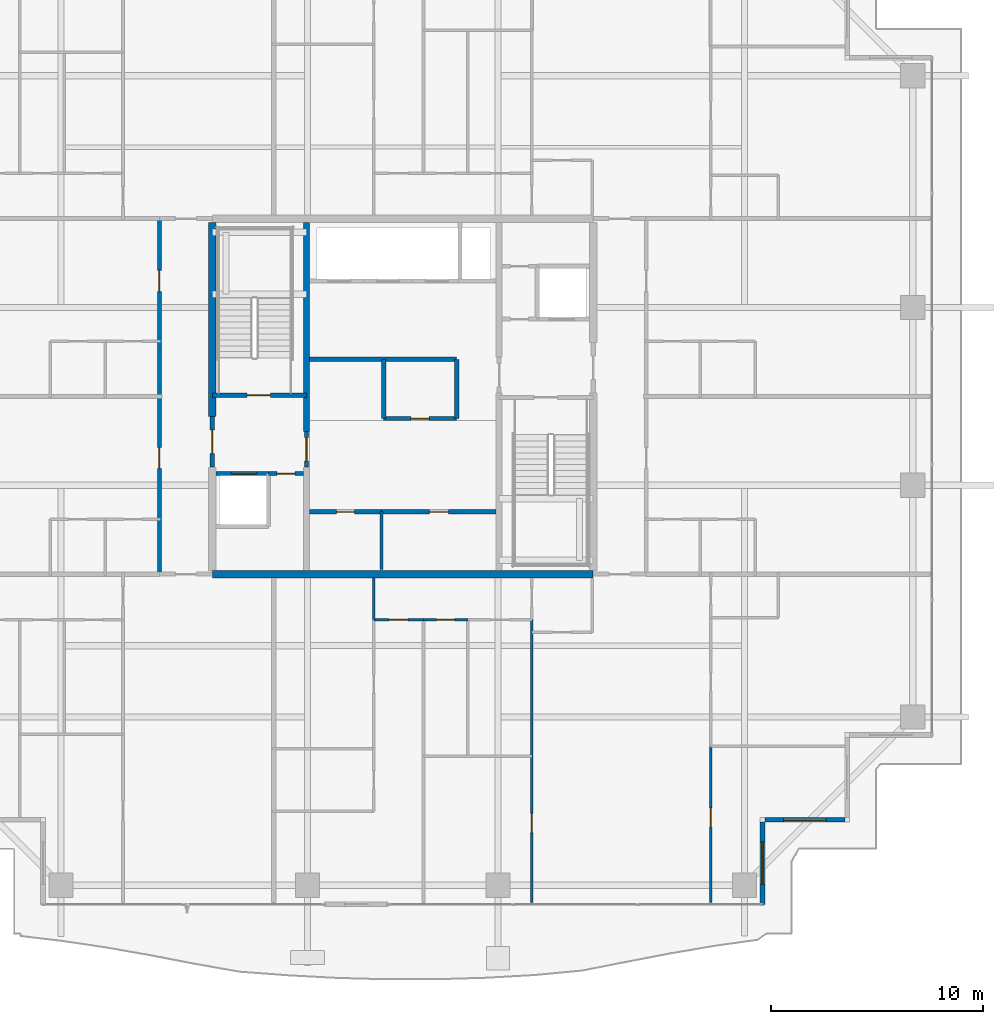
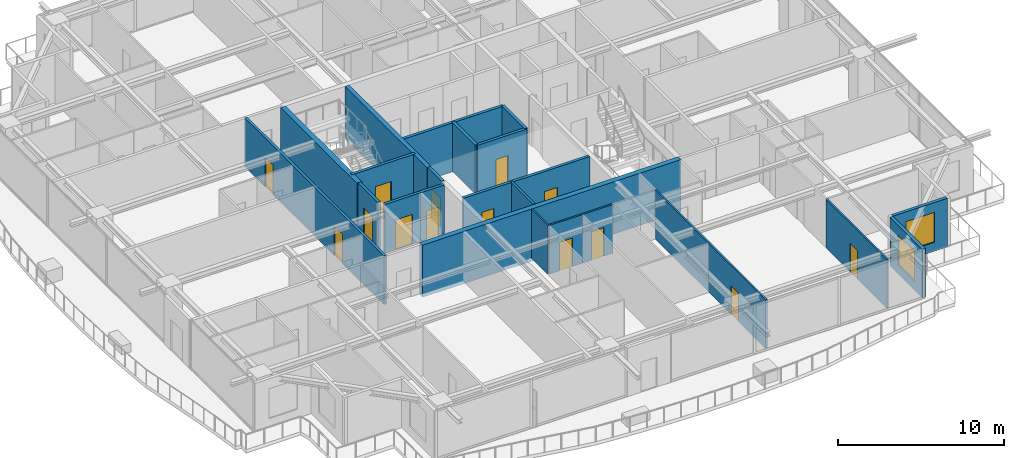
# One storey, part 25 of 38: 24 walls, 14 doors, 2 windows, 16 openings.
"""IFC4 building model written with IfcOpenShell, lengths in metres."""

from ifc_helpers import new_model, si_unit, direction, frame, frame_2d, origin, place, context, subcontext, project, spatial, rectangle, extrude, source, transform, mapped, material, layer, layer_set, type_object, element, fill, save


model = new_model("IFC4")

# Units and contexts
model_context = context("Model", 3, precision=1e-05, world=origin(), true_north=direction((0.0, 1.0)))
body_context = subcontext(model_context, "Body", "Model", "MODEL_VIEW")
ifc_project = project(units=[si_unit("LENGTHUNIT", "METRE"), si_unit("AREAUNIT", "SQUARE_METRE"), si_unit("VOLUMEUNIT", "CUBIC_METRE"), si_unit("PLANEANGLEUNIT", "RADIAN"), si_unit("MASSUNIT", "GRAM", prefix="KILO")], contexts=[model_context])

# Site, building, storey
site_placement = place(None, origin())
site = spatial("IfcSite", under=ifc_project, at=site_placement, CompositionType="ELEMENT")
building_placement = place(site_placement, origin())
building = spatial("IfcBuilding", under=site, at=building_placement, Name="Serunith Strait Residences", CompositionType="ELEMENT")
storey_placement = place(building_placement, frame((0.0, 0.0, 241.25)))
storey = spatial("IfcBuildingStorey", under=building, at=storey_placement, Name="L60", CompositionType="ELEMENT", Elevation=241.25)

# Wall, opening, window
ifc_material_1 = material(Name="Pale-Champagne Aluminium Insulated Panel", Category="aluminium")
ifc_layer_1 = layer(ifc_material_1, 0.219970703125, Name="Pale-Champagne Aluminium Insulated Panel")
ifc_layer_set_1 = layer_set([ifc_layer_1], Name="Pale-Champagne Aluminium Insulated Panel")
wall_type_1 = type_object("IfcWallType", Name="EW-ALUM-220", PredefinedType="ELEMENTEDWALL", material=ifc_layer_set_1)
wall_1_placement = place(storey_placement, frame((49.39990234375, 1.199951171875, 0.0), z_axis=(0.0, 0.0, 1.0), x_axis=(0.0, 1.0, 0.0)))
wall_1 = element("IfcWall", 1, at=wall_1_placement, inside=storey, type_object=wall_type_1, Name="L60 Girih Serrated Corner Wall 02", PredefinedType="ELEMENTEDWALL", context=body_context, shape_type="SweptSolid", body=[
    extrude(rectangle(XDim=3.89013671875, YDim=0.219970703125, at=frame_2d((1.945068359375, 0.0))), origin(), (0.0, 0.0, 1.0), 3.574951171875),
])
opening_1_placement = place(wall_1_placement, frame((0.945068359375, 0.0, 0.64990234375)))
opening_1 = element("IfcOpeningElement", 2, at=opening_1_placement, cuts=wall_1, Name="Opening W-04", PredefinedType="OPENING", context=body_context, shape_type="SweptSolid", body=[
    extrude(rectangle(XDim=2.0, YDim=2.199951171875, at=frame_2d((1.0, 1.10009765625))), frame((0.0, 0.1201171875, 0.0), z_axis=(0.0, -1.0, 0.0), x_axis=(1.0, 0.0, 0.0)), (0.0, 0.0, 1.0), 0.239990234375),
])
ifc_material_2 = material(Name="Ceramic-Fritted Operable Aluminium Window Glass", Category="aluminium")
window_type = type_object("IfcWindowType", Name="WIN-C4", PartitioningType="TRIPLE_PANEL_VERTICAL", PredefinedType="WINDOW", material=ifc_material_2)
shared_shape_1 = source(origin(), body_context, "Body", "SweptSolid", [
    extrude(rectangle(XDim=2.0, YDim=2.199951171875, at=frame_2d((1.0, 1.10009765625))), frame((0.0, 0.030029296875, 0.0), z_axis=(0.0, -1.0, 0.0), x_axis=(1.0, 0.0, 0.0)), (0.0, 0.0, 1.0), 0.06005859375),
])
window_1_placement = place(opening_1_placement, origin())
window_1 = element("IfcWindow", 3, at=window_1_placement, inside=storey, type_object=window_type, Name="L60 Corner Operable Fritted Window 02", OverallHeight=2.199951171875, OverallWidth=2.0, PartitioningType="SINGLE_PANEL", PredefinedType="WINDOW", context=body_context, shape_type="MappedRepresentation", body=[
    mapped(shared_shape_1, transform((0.0, 0.0, 0.0), scale=1.0)),
])
fill(opening_1, window_1)

wall_2_placement = place(storey_placement, frame((49.510009765625, 5.199951171875, 0.0), z_axis=(0.0, 0.0, 1.0), x_axis=(1.0, 0.0, 0.0)))
wall_2 = element("IfcWall", 4, at=wall_2_placement, inside=storey, type_object=wall_type_1, Name="L60 Girih Serrated Corner Wall 03", PredefinedType="ELEMENTEDWALL", context=body_context, shape_type="SweptSolid", body=[
    extrude(rectangle(XDim=3.780029296875, YDim=0.219970703125, at=frame_2d((1.89013671875, 0.0))), origin(), (0.0, 0.0, 1.0), 3.574951171875),
])
opening_2_placement = place(wall_2_placement, frame((0.889892578125, 0.0, 0.64990234375)))
opening_2 = element("IfcOpeningElement", 5, at=opening_2_placement, cuts=wall_2, Name="Opening W-04", PredefinedType="OPENING", context=body_context, shape_type="SweptSolid", body=[
    extrude(rectangle(XDim=2.0, YDim=2.199951171875, at=frame_2d((1.0, 1.10009765625))), frame((0.0, 0.1201171875, 0.0), z_axis=(0.0, -1.0, 0.0), x_axis=(1.0, 0.0, 0.0)), (0.0, 0.0, 1.0), 0.239990234375),
])
window_2_placement = place(opening_2_placement, origin())
window_2 = element("IfcWindow", 6, at=window_2_placement, inside=storey, type_object=window_type, Name="L60 Corner Operable Fritted Window 03", OverallHeight=2.199951171875, OverallWidth=2.0, PartitioningType="SINGLE_PANEL", PredefinedType="WINDOW", context=body_context, shape_type="MappedRepresentation", body=[
    mapped(shared_shape_1, transform((0.0, 0.0, 0.0), scale=1.0)),
])
fill(opening_2, window_2)

# Wall
ifc_material_3 = material(Name="Fire-rated masonry service closet wall", Category="masonry")
ifc_layer_2 = layer(ifc_material_3, 0.14990234375, Name="Fire-rated masonry service closet wall")
ifc_layer_set_2 = layer_set([ifc_layer_2], Name="Fire-rated masonry service closet wall")
wall_type_2 = type_object("IfcWallType", Name="IW-BOH-150", PredefinedType="PARTITIONING", material=ifc_layer_set_2)
wall_3_placement = place(storey_placement, frame((31.39990234375, 17.02001953125, 0.0), z_axis=(0.0, 0.0, 1.0), x_axis=(0.0, 1.0, 0.0)))
element("IfcWall", 7, at=wall_3_placement, inside=storey, type_object=wall_type_2, Name="L60 Partition Wall 014", PredefinedType="PARTITIONING", context=body_context, shape_type="SweptSolid", body=[
    extrude(rectangle(XDim=2.72998046875, YDim=0.14990234375, at=frame_2d((1.364990234375, 0.0))), origin(), (0.0, 0.0, 1.0), 3.590087890625),
])

# Wall, openings, doors
ifc_material_4 = material(Name="Fire-rated acoustic gypsum partition")
ifc_layer_3 = layer(ifc_material_4, 0.179931640625, Name="Fire-rated acoustic gypsum partition")
ifc_layer_set_3 = layer_set([ifc_layer_3], Name="Fire-rated acoustic gypsum partition")
wall_type_3 = type_object("IfcWallType", Name="IW-CORR-180", PredefinedType="PARTITIONING", material=ifc_layer_set_3)
wall_4_placement = place(storey_placement, frame((20.89990234375, 16.800048828125, 0.0), z_axis=(0.0, 0.0, 1.0), x_axis=(0.0, 1.0, 0.0)))
wall_4 = element("IfcWall", 8, at=wall_4_placement, inside=storey, type_object=wall_type_3, Name="L60 Partition Wall 029", PredefinedType="PARTITIONING", context=body_context, shape_type="SweptSolid", body=[
    extrude(rectangle(XDim=16.800048828125, YDim=0.179931640625, at=frame_2d((8.39990234375, 0.0))), origin(), (0.0, 0.0, 1.0), 3.590087890625),
])
opening_3_placement = place(wall_4_placement, frame((4.992919921875, 0.0, 0.0)))
opening_3 = element("IfcOpeningElement", 9, at=opening_3_placement, cuts=wall_4, Name="Opening D-APT1000", PredefinedType="OPENING", context=body_context, shape_type="SweptSolid", body=[
    extrude(rectangle(XDim=1.0, YDim=2.14990234375, at=frame_2d((0.5, 1.074951171875))), frame((0.0, 0.10009765625, 0.0), z_axis=(0.0, -1.0, 0.0), x_axis=(1.0, 0.0, 0.0)), (0.0, 0.0, 1.0), 0.199951171875),
])
opening_4_placement = place(wall_4_placement, frame((13.35107421875, 0.0, 0.0)))
opening_4 = element("IfcOpeningElement", 10, at=opening_4_placement, cuts=wall_4, Name="Opening D-APT1000", PredefinedType="OPENING", context=body_context, shape_type="SweptSolid", body=[
    extrude(rectangle(XDim=1.0, YDim=2.14990234375, at=frame_2d((0.5, 1.074951171875))), frame((0.0, 0.10009765625, 0.0), z_axis=(0.0, -1.0, 0.0), x_axis=(1.0, 0.0, 0.0)), (0.0, 0.0, 1.0), 0.199951171875),
])
ifc_material_5 = material(Name="Solid timber engineered fire door", Category="wood")
door_type_1 = type_object("IfcDoorType", Name="ID-APT-1000", OperationType="NOTDEFINED", PredefinedType="DOOR", material=ifc_material_5)
shared_shape_2 = source(origin(), body_context, "Body", "SweptSolid", [
    extrude(rectangle(XDim=1.0, YDim=2.14990234375, at=frame_2d((0.5, 1.074951171875))), frame((0.0, 0.02490234375, 0.0), z_axis=(0.0, -1.0, 0.0), x_axis=(1.0, 0.0, 0.0)), (0.0, 0.0, 1.0), 0.050048828125),
])
door_1_placement = place(opening_3_placement, origin())
door_1 = element("IfcDoor", 11, at=door_1_placement, inside=storey, type_object=door_type_1, Name="L60 Unit 05 Entrance Door", OperationType="SINGLE_SWING_LEFT", OverallHeight=2.14990234375, OverallWidth=1.0, PredefinedType="DOOR", context=body_context, shape_type="MappedRepresentation", body=[
    mapped(shared_shape_2, transform((0.0, 0.0, 0.0), scale=1.0)),
])
fill(opening_3, door_1)
door_2_placement = place(opening_4_placement, origin())
door_2 = element("IfcDoor", 12, at=door_2_placement, inside=storey, type_object=door_type_1, Name="L60 Unit 06 Entrance Door", OperationType="SINGLE_SWING_RIGHT", OverallHeight=2.14990234375, OverallWidth=1.0, PredefinedType="DOOR", context=body_context, shape_type="MappedRepresentation", body=[
    mapped(shared_shape_2, transform((0.0, 0.0, 0.0), scale=1.0)),
])
fill(opening_4, door_2)

# Wall, opening, door
ifc_material_6 = material(Name="Lightweight steel-stud gypsum partition", Category="steel")
ifc_layer_4 = layer(ifc_material_6, 0.1201171875, Name="Lightweight steel-stud gypsum partition")
ifc_layer_set_4 = layer_set([ifc_layer_4], Name="Lightweight steel-stud gypsum partition")
wall_type_4 = type_object("IfcWallType", Name="IW-PART-120", PredefinedType="PARTITIONING", material=ifc_layer_set_4)
wall_5_placement = place(storey_placement, frame((38.5, 1.294921875, 0.0), z_axis=(0.0, 0.0, 1.0), x_axis=(0.0, 1.0, 0.0)))
wall_5 = element("IfcWall", 13, at=wall_5_placement, inside=storey, type_object=wall_type_4, Name="L60 Partition Wall 049", PredefinedType="PARTITIONING", context=body_context, shape_type="SweptSolid", body=[
    extrude(rectangle(XDim=6.89404296875, YDim=0.1201171875, at=frame_2d((3.447021484375, 0.0))), origin(), (0.0, 0.0, 1.0), 3.590087890625),
])
opening_5_placement = place(wall_5_placement, frame((3.297119140625, 0.0, 0.0)))
opening_5 = element("IfcOpeningElement", 14, at=opening_5_placement, cuts=wall_5, Name="Opening D-RM900", PredefinedType="OPENING", context=body_context, shape_type="SweptSolid", body=[
    extrude(rectangle(XDim=0.89990234375, YDim=2.10009765625, at=frame_2d((0.449951171875, 1.050048828125))), frame((0.0, 0.070068359375, 0.0), z_axis=(0.0, -1.0, 0.0), x_axis=(1.0, 0.0, 0.0)), (0.0, 0.0, 1.0), 0.14013671875),
])
ifc_material_7 = material(Name="Engineered timber flush bedroom door", Category="wood")
door_type_2 = type_object("IfcDoorType", Name="ID-ROOM-900", OperationType="NOTDEFINED", PredefinedType="DOOR", material=ifc_material_7)
shared_shape_3 = source(origin(), body_context, "Body", "SweptSolid", [
    extrude(rectangle(XDim=0.89990234375, YDim=2.10009765625, at=frame_2d((0.449951171875, 1.050048828125))), frame((0.0, 0.02490234375, 0.0), z_axis=(0.0, -1.0, 0.0), x_axis=(1.0, 0.0, 0.0)), (0.0, 0.0, 1.0), 0.050048828125),
])
door_3_placement = place(opening_5_placement, origin())
door_3 = element("IfcDoor", 15, at=door_3_placement, inside=storey, type_object=door_type_2, Name="L60 Formal Dining Room 1 6002 Door", OperationType="SINGLE_SWING_RIGHT", OverallHeight=2.10009765625, OverallWidth=0.89990234375, PredefinedType="DOOR", context=body_context, shape_type="MappedRepresentation", body=[
    mapped(shared_shape_3, transform((0.0, 0.0, 0.0), scale=1.0)),
])
fill(opening_5, door_3)

# Wall
wall_6_placement = place(storey_placement, frame((38.5, 8.19091796875, 0.0), z_axis=(0.0, 0.0, 1.0), x_axis=(0.0, 1.0, 0.0)))
element("IfcWall", 16, at=wall_6_placement, inside=storey, type_object=wall_type_4, Name="L60 Partition Wall 050", PredefinedType="PARTITIONING", context=body_context, shape_type="SweptSolid", body=[
    extrude(rectangle(XDim=6.45703125, YDim=0.1201171875, at=frame_2d((3.228515625, 0.0))), origin(), (0.0, 0.0, 1.0), 3.590087890625),
])

# Wall, opening, door
wall_7_placement = place(storey_placement, frame((33.3798828125, 14.64990234375, 0.0), z_axis=(0.0, 0.0, 1.0), x_axis=(1.0, 0.0, 0.0)))
wall_7 = element("IfcWall", 17, at=wall_7_placement, inside=storey, type_object=wall_type_4, Name="L60 Partition Wall 054", PredefinedType="PARTITIONING", context=body_context, shape_type="SweptSolid", body=[
    extrude(rectangle(XDim=2.10009765625, YDim=0.1201171875, at=frame_2d((1.050048828125, 0.0))), origin(), (0.0, 0.0, 1.0), 3.590087890625),
])
opening_6_placement = place(wall_7_placement, frame((0.625, 0.0, 0.0)))
opening_6 = element("IfcOpeningElement", 18, at=opening_6_placement, cuts=wall_7, Name="Opening D-BTH850", PredefinedType="OPENING", context=body_context, shape_type="SweptSolid", body=[
    extrude(rectangle(XDim=0.85009765625, YDim=2.10009765625, at=frame_2d((0.425048828125, 1.050048828125))), frame((0.0, 0.070068359375, 0.0), z_axis=(0.0, -1.0, 0.0), x_axis=(1.0, 0.0, 0.0)), (0.0, 0.0, 1.0), 0.14013671875),
])
ifc_material_8 = material(Name="Moisture-resistant timber bathroom door", Category="wood")
door_type_3 = type_object("IfcDoorType", Name="ID-BATH-850", OperationType="NOTDEFINED", PredefinedType="DOOR", material=ifc_material_8)
shared_shape_4 = source(origin(), body_context, "Body", "SweptSolid", [
    extrude(rectangle(XDim=0.85009765625, YDim=2.10009765625, at=frame_2d((0.425048828125, 1.050048828125))), frame((0.0, 0.02490234375, 0.0), z_axis=(0.0, -1.0, 0.0), x_axis=(1.0, 0.0, 0.0)), (0.0, 0.0, 1.0), 0.050048828125),
])
door_4_placement = place(opening_6_placement, origin())
door_4 = element("IfcDoor", 19, at=door_4_placement, inside=storey, type_object=door_type_3, Name="L60 Bathroom 6002 Door", OperationType="SINGLE_SWING_LEFT", OverallHeight=2.10009765625, OverallWidth=0.85009765625, PredefinedType="DOOR", context=body_context, shape_type="MappedRepresentation", body=[
    mapped(shared_shape_4, transform((0.0, 0.0, 0.0), scale=1.0)),
])
fill(opening_6, door_4)

wall_8_placement = place(storey_placement, frame((31.030029296875, 14.64990234375, 0.0), z_axis=(0.0, 0.0, 1.0), x_axis=(1.0, 0.0, 0.0)))
wall_8 = element("IfcWall", 20, at=wall_8_placement, inside=storey, type_object=wall_type_4, Name="L60 Partition Wall 056", PredefinedType="PARTITIONING", context=body_context, shape_type="SweptSolid", body=[
    extrude(rectangle(XDim=2.347900390625, YDim=0.1201171875, at=frame_2d((1.173828125, 0.0))), origin(), (0.0, 0.0, 1.0), 3.590087890625),
])
opening_7_placement = place(wall_8_placement, frame((0.72412109375, 0.0, 0.0)))
opening_7 = element("IfcOpeningElement", 21, at=opening_7_placement, cuts=wall_8, Name="Opening D-RM900", PredefinedType="OPENING", context=body_context, shape_type="SweptSolid", body=[
    extrude(rectangle(XDim=0.89990234375, YDim=2.10009765625, at=frame_2d((0.449951171875, 1.050048828125))), frame((0.0, 0.070068359375, 0.0), z_axis=(0.0, -1.0, 0.0), x_axis=(1.0, 0.0, 0.0)), (0.0, 0.0, 1.0), 0.14013671875),
])
door_5_placement = place(opening_7_placement, origin())
door_5 = element("IfcDoor", 22, at=door_5_placement, inside=storey, type_object=door_type_2, Name="L60 Master Bedroom W 6002 Door", OperationType="SINGLE_SWING_LEFT", OverallHeight=2.10009765625, OverallWidth=0.89990234375, PredefinedType="DOOR", context=body_context, shape_type="MappedRepresentation", body=[
    mapped(shared_shape_3, transform((0.0, 0.0, 0.0), scale=1.0)),
])
fill(opening_7, door_5)

# Wall
wall_9_placement = place(storey_placement, frame((31.030029296875, 14.652099609375, 0.0), z_axis=(0.0, 0.0, 1.0), x_axis=(0.0, 1.0, 0.0)))
element("IfcWall", 23, at=wall_9_placement, inside=storey, type_object=wall_type_4, Name="L60 Partition Wall 061", PredefinedType="PARTITIONING", context=body_context, shape_type="SweptSolid", body=[
    extrude(rectangle(XDim=1.972900390625, YDim=0.1201171875, at=frame_2d((0.986328125, 0.0))), origin(), (0.0, 0.0, 1.0), 3.590087890625),
])

# Wall, opening, door
wall_10_placement = place(storey_placement, frame((46.949951171875, 1.294921875, 0.0), z_axis=(0.0, 0.0, 1.0), x_axis=(0.0, 1.0, 0.0)))
wall_10 = element("IfcWall", 24, at=wall_10_placement, inside=storey, type_object=wall_type_4, Name="L60 Partition Wall 062", PredefinedType="PARTITIONING", context=body_context, shape_type="SweptSolid", body=[
    extrude(rectangle(XDim=7.373046875, YDim=0.1201171875, at=frame_2d((3.6865234375, 0.0))), origin(), (0.0, 0.0, 1.0), 3.590087890625),
])
opening_8_placement = place(wall_10_placement, frame((3.56005859375, 0.0, 0.0)))
opening_8 = element("IfcOpeningElement", 25, at=opening_8_placement, cuts=wall_10, Name="Opening D-RM900", PredefinedType="OPENING", context=body_context, shape_type="SweptSolid", body=[
    extrude(rectangle(XDim=0.89990234375, YDim=2.10009765625, at=frame_2d((0.449951171875, 1.050048828125))), frame((0.0, 0.070068359375, 0.0), z_axis=(0.0, -1.0, 0.0), x_axis=(1.0, 0.0, 0.0)), (0.0, 0.0, 1.0), 0.14013671875),
])
door_6_placement = place(opening_8_placement, origin())
door_6 = element("IfcDoor", 26, at=door_6_placement, inside=storey, type_object=door_type_2, Name="L60 Bedroom 3 6002 Door", OperationType="SINGLE_SWING_RIGHT", OverallHeight=2.10009765625, OverallWidth=0.89990234375, PredefinedType="DOOR", context=body_context, shape_type="MappedRepresentation", body=[
    mapped(shared_shape_3, transform((0.0, 0.0, 0.0), scale=1.0)),
])
fill(opening_8, door_6)

ifc_material_9 = material(Name="Autoclaved aerated concrete blockwork", Category="masonry")
ifc_layer_5 = layer(ifc_material_9, 0.199951171875, Name="Autoclaved aerated concrete blockwork")
ifc_layer_set_5 = layer_set([ifc_layer_5], Name="Autoclaved aerated concrete blockwork")
wall_type_5 = type_object("IfcWallType", Name="IW-SHAFT-200", PredefinedType="STANDARD", material=ifc_layer_set_5)
wall_11_placement = place(storey_placement, frame((23.39990234375, 25.25, 0.0), z_axis=(0.0, 0.0, 1.0), x_axis=(1.0, 0.0, 0.0)))
wall_11 = element("IfcWall", 27, at=wall_11_placement, inside=storey, type_object=wall_type_5, Name="L60 ST-1 South Shaft Wall", PredefinedType="STANDARD", context=body_context, shape_type="SweptSolid", body=[
    extrude(rectangle(XDim=4.4501953125, YDim=0.199951171875, at=frame_2d((2.22509765625, 0.0))), origin(), (0.0, 0.0, 1.0), 3.590087890625),
])
opening_9_placement = place(wall_11_placement, frame((1.64990234375, 0.0, 0.0)))
opening_9 = element("IfcOpeningElement", 28, at=opening_9_placement, cuts=wall_11, Name="Opening FD-1100", PredefinedType="OPENING", context=body_context, shape_type="SweptSolid", body=[
    extrude(rectangle(XDim=1.10009765625, YDim=2.14990234375, at=frame_2d((0.550048828125, 1.074951171875))), frame((0.0, 0.10986328125, 0.0), z_axis=(0.0, -1.0, 0.0), x_axis=(1.0, 0.0, 0.0)), (0.0, 0.0, 1.0), 0.219970703125),
])
ifc_material_10 = material(Name="Galvanised steel fire door leaf", Category="steel")
door_type_4 = type_object("IfcDoorType", Name="FD-STAIR-1100", OperationType="NOTDEFINED", PredefinedType="DOOR", material=ifc_material_10)
shared_shape_5 = source(origin(), body_context, "Body", "SweptSolid", [
    extrude(rectangle(XDim=1.10009765625, YDim=2.14990234375, at=frame_2d((0.550048828125, 1.074951171875))), frame((0.0, 0.02490234375, 0.0), z_axis=(0.0, -1.0, 0.0), x_axis=(1.0, 0.0, 0.0)), (0.0, 0.0, 1.0), 0.050048828125),
])
door_7_placement = place(opening_9_placement, origin())
door_7 = element("IfcDoor", 29, at=door_7_placement, inside=storey, type_object=door_type_4, Name="L60 ST-1 Escape Stair Door", OperationType="SINGLE_SWING_RIGHT", OverallHeight=2.14990234375, OverallWidth=1.10009765625, PredefinedType="DOOR", context=body_context, shape_type="MappedRepresentation", body=[
    mapped(shared_shape_5, transform((0.0, 0.0, 0.0), scale=1.0)),
])
fill(opening_9, door_7)

wall_12_placement = place(storey_placement, frame((23.574951171875, 21.550048828125, 0.0), z_axis=(0.0, 0.0, 1.0), x_axis=(1.0, 0.0, 0.0)))
wall_12 = element("IfcWall", 30, at=wall_12_placement, inside=storey, type_object=wall_type_5, Name="L60 FL-1 North Shaft Wall", PredefinedType="STANDARD", context=body_context, shape_type="SweptSolid", body=[
    extrude(rectangle(XDim=2.47509765625, YDim=0.199951171875, at=frame_2d((1.237548828125, 0.0))), origin(), (0.0, 0.0, 1.0), 3.590087890625),
])
opening_10_placement = place(wall_12_placement, frame((0.72509765625, 0.0, 0.0)))
opening_10 = element("IfcOpeningElement", 31, at=opening_10_placement, cuts=wall_12, Name="Opening LD-FF1200", PredefinedType="OPENING", context=body_context, shape_type="SweptSolid", body=[
    extrude(rectangle(XDim=1.199951171875, YDim=2.199951171875, at=frame_2d((0.60009765625, 1.10009765625))), frame((0.0, 0.10986328125, 0.0), z_axis=(0.0, -1.0, 0.0), x_axis=(1.0, 0.0, 0.0)), (0.0, 0.0, 1.0), 0.219970703125),
])
ifc_material_11 = material(Name="Brushed stainless steel landing door", Category="steel")
door_type_5 = type_object("IfcDoorType", Name="LD-FF-1200", OperationType="DOUBLE_DOOR_SLIDING", PredefinedType="DOOR", material=ifc_material_11)
shared_shape_6 = source(origin(), body_context, "Body", "SweptSolid", [
    extrude(rectangle(XDim=1.199951171875, YDim=2.199951171875, at=frame_2d((0.60009765625, 1.10009765625))), frame((0.0, 0.02490234375, 0.0), z_axis=(0.0, -1.0, 0.0), x_axis=(1.0, 0.0, 0.0)), (0.0, 0.0, 1.0), 0.050048828125),
])
door_8_placement = place(opening_10_placement, origin())
door_8 = element("IfcDoor", 32, at=door_8_placement, inside=storey, type_object=door_type_5, Name="L60 FL-1 Landing Door", OperationType="DOUBLE_DOOR_SLIDING", OverallHeight=2.199951171875, OverallWidth=1.199951171875, PredefinedType="DOOR", context=body_context, shape_type="MappedRepresentation", body=[
    mapped(shared_shape_6, transform((0.0, 0.0, 0.0), scale=1.0)),
])
fill(opening_10, door_8)

wall_13_placement = place(storey_placement, frame((26.052001953125, 21.550048828125, 0.0), z_axis=(0.0, 0.0, 1.0), x_axis=(1.0, 0.0, 0.0)))
wall_13 = element("IfcWall", 33, at=wall_13_placement, inside=storey, type_object=wall_type_5, Name="L60 Partition Wall 003", PredefinedType="STANDARD", context=body_context, shape_type="SweptSolid", body=[
    extrude(rectangle(XDim=1.64794921875, YDim=0.199951171875, at=frame_2d((0.823974609375, 0.0))), origin(), (0.0, 0.0, 1.0), 3.590087890625),
])
opening_11_placement = place(wall_13_placement, frame((0.39892578125, 0.0, 0.0)))
opening_11 = element("IfcOpeningElement", 34, at=opening_11_placement, cuts=wall_13, Name="Opening FD-850", PredefinedType="OPENING", context=body_context, shape_type="SweptSolid", body=[
    extrude(rectangle(XDim=0.85009765625, YDim=2.10009765625, at=frame_2d((0.425048828125, 1.050048828125))), frame((0.0, 0.10986328125, 0.0), z_axis=(0.0, -1.0, 0.0), x_axis=(1.0, 0.0, 0.0)), (0.0, 0.0, 1.0), 0.219970703125),
])
ifc_material_12 = material(Name="Powder-coated steel service closet door", Category="steel")
door_type_6 = type_object("IfcDoorType", Name="FD-BOH-850", OperationType="NOTDEFINED", PredefinedType="DOOR", material=ifc_material_12)
door_9_placement = place(opening_11_placement, origin())
door_9 = element("IfcDoor", 35, at=door_9_placement, inside=storey, type_object=door_type_6, Name="L60 South-West Core Service Door", OperationType="SINGLE_SWING_LEFT", OverallHeight=2.10009765625, OverallWidth=0.85009765625, PredefinedType="DOOR", context=body_context, shape_type="MappedRepresentation", body=[
    mapped(shared_shape_4, transform((0.0, 0.0, 0.0), scale=1.0)),
])
fill(opening_11, door_9)

wall_14_placement = place(storey_placement, frame((23.39990234375, 21.85205078125, 0.0), z_axis=(0.0, 0.0, 1.0), x_axis=(0.0, 1.0, 0.0)))
wall_14 = element("IfcWall", 36, at=wall_14_placement, inside=storey, type_object=wall_type_5, Name="L60 Partition Wall 007", PredefinedType="STANDARD", context=body_context, shape_type="SweptSolid", body=[
    extrude(rectangle(XDim=2.39599609375, YDim=0.199951171875, at=frame_2d((1.197998046875, 0.0))), origin(), (0.0, 0.0, 1.0), 3.590087890625),
])
opening_12_placement = place(wall_14_placement, frame((0.64794921875, 0.0, 0.0)))
opening_12 = element("IfcOpeningElement", 37, at=opening_12_placement, cuts=wall_14, Name="Opening FD-FFL", PredefinedType="OPENING", context=body_context, shape_type="SweptSolid", body=[
    extrude(rectangle(XDim=1.10009765625, YDim=2.14990234375, at=frame_2d((0.550048828125, 1.074951171875))), frame((0.0, 0.10986328125, 0.0), z_axis=(0.0, -1.0, 0.0), x_axis=(1.0, 0.0, 0.0)), (0.0, 0.0, 1.0), 0.219970703125),
])
ifc_material_13 = material(Name="Glazed steel smoke-lobby fire door", Category="steel")
door_type_7 = type_object("IfcDoorType", Name="FD-FFL-1100", OperationType="NOTDEFINED", PredefinedType="DOOR", material=ifc_material_13)
door_10_placement = place(opening_12_placement, origin())
door_10 = element("IfcDoor", 38, at=door_10_placement, inside=storey, type_object=door_type_7, Name="L60 FFL-1 Corridor Fire Door", OperationType="SINGLE_SWING_LEFT", OverallHeight=2.14990234375, OverallWidth=1.10009765625, PredefinedType="DOOR", context=body_context, shape_type="MappedRepresentation", body=[
    mapped(shared_shape_5, transform((0.0, 0.0, 0.0), scale=1.0)),
])
fill(opening_12, door_10)

wall_15_placement = place(storey_placement, frame((27.85009765625, 21.85205078125, 0.0), z_axis=(0.0, 0.0, 1.0), x_axis=(0.0, 1.0, 0.0)))
wall_15 = element("IfcWall", 39, at=wall_15_placement, inside=storey, type_object=wall_type_5, Name="L60 Partition Wall 009", PredefinedType="STANDARD", context=body_context, shape_type="SweptSolid", body=[
    extrude(rectangle(XDim=1.696044921875, YDim=0.199951171875, at=frame_2d((0.84814453125, 0.0))), origin(), (0.0, 0.0, 1.0), 3.590087890625),
])
opening_13_placement = place(wall_15_placement, frame((0.298095703125, 0.0, 0.0)))
opening_13 = element("IfcOpeningElement", 40, at=opening_13_placement, cuts=wall_15, Name="Opening FD-FFL", PredefinedType="OPENING", context=body_context, shape_type="SweptSolid", body=[
    extrude(rectangle(XDim=1.10009765625, YDim=2.14990234375, at=frame_2d((0.550048828125, 1.074951171875))), frame((0.0, 0.10986328125, 0.0), z_axis=(0.0, -1.0, 0.0), x_axis=(1.0, 0.0, 0.0)), (0.0, 0.0, 1.0), 0.219970703125),
])
door_11_placement = place(opening_13_placement, origin())
door_11 = element("IfcDoor", 41, at=door_11_placement, inside=storey, type_object=door_type_7, Name="L60 FFL-1 Lift Lobby Door", OperationType="SINGLE_SWING_LEFT", OverallHeight=2.14990234375, OverallWidth=1.10009765625, PredefinedType="DOOR", context=body_context, shape_type="MappedRepresentation", body=[
    mapped(shared_shape_5, transform((0.0, 0.0, 0.0), scale=1.0)),
])
fill(opening_13, door_11)

wall_16_placement = place(storey_placement, frame((28.0, 19.75, 0.0), z_axis=(0.0, 0.0, 1.0), x_axis=(1.0, 0.0, 0.0)))
wall_16 = element("IfcWall", 42, at=wall_16_placement, inside=storey, type_object=wall_type_5, Name="L60 Partition Wall 012", PredefinedType="STANDARD", context=body_context, shape_type="SweptSolid", body=[
    extrude(rectangle(XDim=3.39990234375, YDim=0.199951171875, at=frame_2d((1.699951171875, 0.0))), origin(), (0.0, 0.0, 1.0), 3.590087890625),
])
opening_14_placement = place(wall_16_placement, frame((1.27490234375, 0.0, 0.0)))
opening_14 = element("IfcOpeningElement", 43, at=opening_14_placement, cuts=wall_16, Name="Opening FD-850", PredefinedType="OPENING", context=body_context, shape_type="SweptSolid", body=[
    extrude(rectangle(XDim=0.85009765625, YDim=2.10009765625, at=frame_2d((0.425048828125, 1.050048828125))), frame((0.0, 0.10986328125, 0.0), z_axis=(0.0, -1.0, 0.0), x_axis=(1.0, 0.0, 0.0)), (0.0, 0.0, 1.0), 0.219970703125),
])
door_12_placement = place(opening_14_placement, origin())
door_12 = element("IfcDoor", 44, at=door_12_placement, inside=storey, type_object=door_type_6, Name="L60 Booster Pump Door", OperationType="SINGLE_SWING_RIGHT", OverallHeight=2.10009765625, OverallWidth=0.85009765625, PredefinedType="DOOR", context=body_context, shape_type="MappedRepresentation", body=[
    mapped(shared_shape_4, transform((0.0, 0.0, 0.0), scale=1.0)),
])
fill(opening_14, door_12)

wall_17_placement = place(storey_placement, frame((31.402099609375, 19.75, 0.0), z_axis=(0.0, 0.0, 1.0), x_axis=(1.0, 0.0, 0.0)))
wall_17 = element("IfcWall", 45, at=wall_17_placement, inside=storey, type_object=wall_type_5, Name="L60 Partition Wall 013", PredefinedType="STANDARD", context=body_context, shape_type="SweptSolid", body=[
    extrude(rectangle(XDim=5.39794921875, YDim=0.199951171875, at=frame_2d((2.698974609375, 0.0))), origin(), (0.0, 0.0, 1.0), 3.590087890625),
])
opening_15_placement = place(wall_17_placement, frame((2.2490234375, 0.0, 0.0)))
opening_15 = element("IfcOpeningElement", 46, at=opening_15_placement, cuts=wall_17, Name="Opening FD-900", PredefinedType="OPENING", context=body_context, shape_type="SweptSolid", body=[
    extrude(rectangle(XDim=0.89990234375, YDim=2.10009765625, at=frame_2d((0.449951171875, 1.050048828125))), frame((0.0, 0.10986328125, 0.0), z_axis=(0.0, -1.0, 0.0), x_axis=(1.0, 0.0, 0.0)), (0.0, 0.0, 1.0), 0.219970703125),
])
ifc_material_14 = material(Name="Powder-coated steel riser door", Category="steel")
door_type_8 = type_object("IfcDoorType", Name="FD-BOH-900", OperationType="NOTDEFINED", PredefinedType="DOOR", material=ifc_material_14)
door_13_placement = place(opening_15_placement, origin())
door_13 = element("IfcDoor", 47, at=door_13_placement, inside=storey, type_object=door_type_8, Name="L60 Zone Switchroom Door", OperationType="SINGLE_SWING_LEFT", OverallHeight=2.10009765625, OverallWidth=0.89990234375, PredefinedType="DOOR", context=body_context, shape_type="MappedRepresentation", body=[
    mapped(shared_shape_3, transform((0.0, 0.0, 0.0), scale=1.0)),
])
fill(opening_15, door_13)

# Walls
wall_18_placement = place(storey_placement, frame((28.0, 26.949951171875, 0.0), z_axis=(0.0, 0.0, 1.0), x_axis=(1.0, 0.0, 0.0)))
element("IfcWall", 48, at=wall_18_placement, inside=storey, type_object=wall_type_5, Name="L60 Partition Wall 015", PredefinedType="STANDARD", context=body_context, shape_type="SweptSolid", body=[
    extrude(rectangle(XDim=6.949951171875, YDim=0.199951171875, at=frame_2d((3.47509765625, 0.0))), origin(), (0.0, 0.0, 1.0), 3.590087890625),
])
wall_19_placement = place(storey_placement, frame((34.949951171875, 24.14990234375, 0.0), z_axis=(0.0, 0.0, 1.0), x_axis=(0.0, 1.0, 0.0)))
element("IfcWall", 49, at=wall_19_placement, inside=storey, type_object=wall_type_5, Name="L60 Partition Wall 016", PredefinedType="STANDARD", context=body_context, shape_type="SweptSolid", body=[
    extrude(rectangle(XDim=2.800048828125, YDim=0.199951171875, at=frame_2d((1.39990234375, 0.0))), origin(), (0.0, 0.0, 1.0), 3.590087890625),
])

# Wall, opening, door
wall_20_placement = place(storey_placement, frame((31.5, 24.14990234375, 0.0), z_axis=(0.0, 0.0, 1.0), x_axis=(1.0, 0.0, 0.0)))
wall_20 = element("IfcWall", 50, at=wall_20_placement, inside=storey, type_object=wall_type_5, Name="L60 Partition Wall 017", PredefinedType="STANDARD", context=body_context, shape_type="SweptSolid", body=[
    extrude(rectangle(XDim=3.449951171875, YDim=0.199951171875, at=frame_2d((1.72509765625, 0.0))), origin(), (0.0, 0.0, 1.0), 3.590087890625),
])
opening_16_placement = place(wall_20_placement, frame((1.300048828125, 0.0, 0.0)))
opening_16 = element("IfcOpeningElement", 51, at=opening_16_placement, cuts=wall_20, Name="Opening FD-850", PredefinedType="OPENING", context=body_context, shape_type="SweptSolid", body=[
    extrude(rectangle(XDim=0.85009765625, YDim=2.10009765625, at=frame_2d((0.425048828125, 1.050048828125))), frame((0.0, 0.10986328125, 0.0), z_axis=(0.0, -1.0, 0.0), x_axis=(1.0, 0.0, 0.0)), (0.0, 0.0, 1.0), 0.219970703125),
])
door_14_placement = place(opening_16_placement, origin())
door_14 = element("IfcDoor", 52, at=door_14_placement, inside=storey, type_object=door_type_6, Name="L60 Upper Meter Room Door", OperationType="SINGLE_SWING_RIGHT", OverallHeight=2.10009765625, OverallWidth=0.85009765625, PredefinedType="DOOR", context=body_context, shape_type="MappedRepresentation", body=[
    mapped(shared_shape_4, transform((0.0, 0.0, 0.0), scale=1.0)),
])
fill(opening_16, door_14)

# Walls
wall_21_placement = place(storey_placement, frame((31.5, 24.14990234375, 0.0), z_axis=(0.0, 0.0, 1.0), x_axis=(0.0, 1.0, 0.0)))
element("IfcWall", 53, at=wall_21_placement, inside=storey, type_object=wall_type_5, Name="L60 Partition Wall 018", PredefinedType="STANDARD", context=body_context, shape_type="SweptSolid", body=[
    extrude(rectangle(XDim=2.800048828125, YDim=0.199951171875, at=frame_2d((1.39990234375, 0.0))), origin(), (0.0, 0.0, 1.0), 3.590087890625),
])
ifc_material_15 = material(Name="Concrete C60/75", Category="concrete")
ifc_layer_6 = layer(ifc_material_15, 0.300048828125, Name="Concrete C60/75")
ifc_layer_set_6 = layer_set([ifc_layer_6], Name="Concrete C60/75")
wall_type_6 = type_object("IfcWallType", Name="SW-300-C60", PredefinedType="SHEAR", material=ifc_layer_set_6)
wall_22_placement = place(storey_placement, frame((27.85009765625, 23.550048828125, -0.260009765625), z_axis=(0.0, 0.0, 1.0), x_axis=(0.0, 1.0, 0.0)))
element("IfcWall", 54, at=wall_22_placement, inside=storey, type_object=wall_type_6, Name="L60 Core Internal West Web North Pier", PredefinedType="SHEAR", context=body_context, shape_type="SweptSolid", body=[
    extrude(rectangle(XDim=9.875, YDim=0.300048828125, at=frame_2d((4.9375, 0.0))), origin(), (0.0, 0.0, 1.0), 3.847900390625),
])
ifc_layer_7 = layer(ifc_material_15, 0.35009765625, Name="Concrete C60/75")
ifc_layer_set_7 = layer_set([ifc_layer_7], Name="Concrete C60/75")
wall_type_7 = type_object("IfcWallType", Name="SW-350-C60", PredefinedType="SHEAR", material=ifc_layer_set_7)
wall_23_placement = place(storey_placement, frame((23.39990234375, 16.800048828125, -0.260009765625), z_axis=(0.0, 0.0, 1.0), x_axis=(1.0, 0.0, 0.0)))
element("IfcWall", 55, at=wall_23_placement, inside=storey, type_object=wall_type_7, Name="L60 Core South Shear Wall", PredefinedType="SHEAR", context=body_context, shape_type="SweptSolid", body=[
    extrude(rectangle(XDim=18.0, YDim=0.35009765625, at=frame_2d((9.0, 0.0))), origin(), (0.0, 0.0, 1.0), 3.847900390625),
])
wall_24_placement = place(storey_placement, frame((23.39990234375, 24.25, -0.260009765625), z_axis=(0.0, 0.0, 1.0), x_axis=(0.0, 1.0, 0.0)))
element("IfcWall", 56, at=wall_24_placement, inside=storey, type_object=wall_type_7, Name="L60 Core West Shear Wall North Pier", PredefinedType="SHEAR", context=body_context, shape_type="SweptSolid", body=[
    extrude(rectangle(XDim=9.175048828125, YDim=0.35009765625, at=frame_2d((4.58740234375, 0.0))), origin(), (0.0, 0.0, 1.0), 3.847900390625),
])

save(model, "model.ifc")
